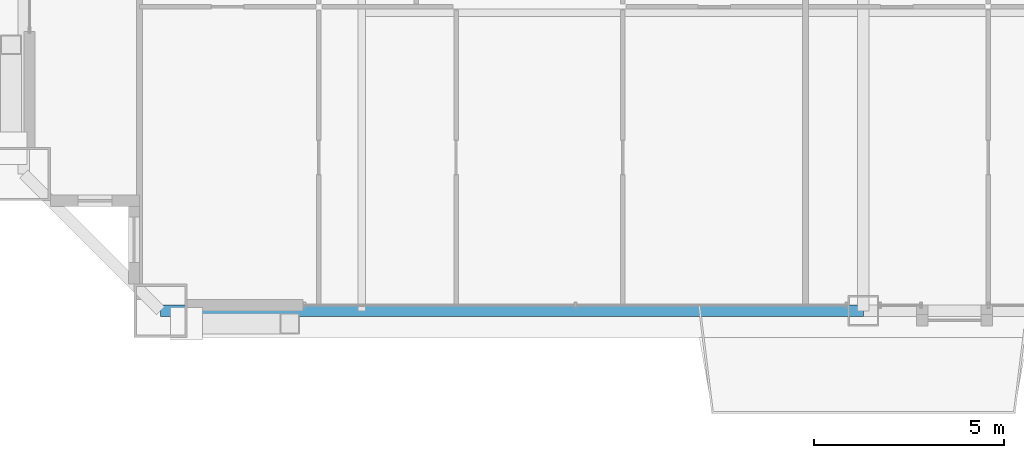
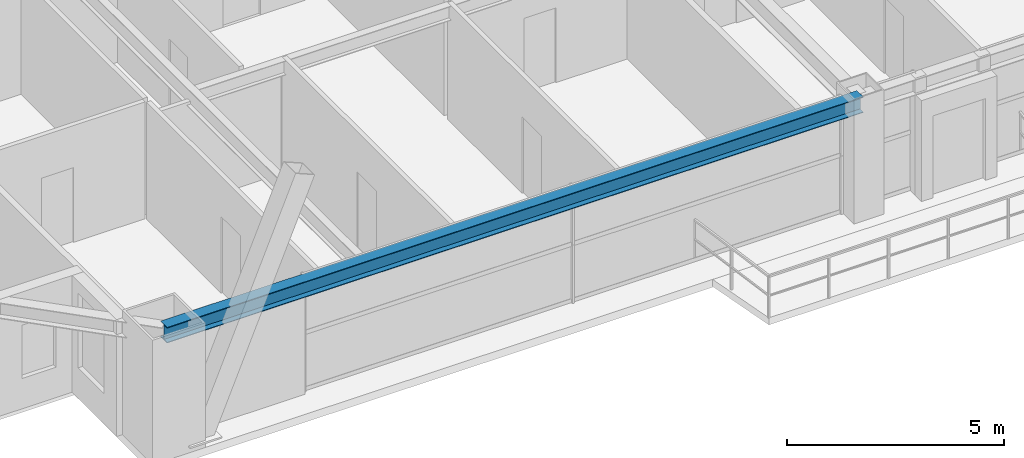
# One storey, part 5 of 45: 1 beam.
"""IFC4 building model written with IfcOpenShell, lengths in metres."""

import ifcopenshell
import ifcopenshell.guid

model = None  # the IFC model being written
_history = None  # IfcOwnerHistory: only IFC2X3 demands one
_inside = {}  # id of a spatial element -> (the spatial element, [elements in it])
_under = {}  # id of a project, library or spatial element -> (it, [spatial elements below it])
_declared = {}  # id of a project -> (the project, [libraries it declares])
_typed = {}  # id of a type object -> (the type object, [elements of that type])
_made_of = {}  # id of a material, layer set ... -> (it, [elements and type objects made of it])


def new_model(schema):
    """Start an empty IFC model of exactly this schema.

    Asked for "IFC4X3", IfcOpenShell would pick the latest addendum, in which some entities
    have other attributes; the version numbers below select the first issue.
    IFC2X3 requires an IfcOwnerHistory on every rooted entity: one is made here for all.
    """
    global model, _history
    if schema == "IFC4X3":
        model = ifcopenshell.file(schema_version=(4, 3, 0, 0))
    else:
        model = ifcopenshell.file(schema=schema)
    _inside.clear()
    _under.clear()
    _declared.clear()
    _typed.clear()
    _made_of.clear()
    _history = None
    if model.schema == "IFC2X3":
        org = make("IfcOrganization", Name="unknown")
        user = make(
            "IfcPersonAndOrganization",
            ThePerson=make("IfcPerson", FamilyName="unknown"),
            TheOrganization=org,
        )
        app = make(
            "IfcApplication",
            ApplicationDeveloper=org,
            Version="unknown",
            ApplicationFullName="unknown",
            ApplicationIdentifier="unknown",
        )
        _history = make(
            "IfcOwnerHistory",
            OwningUser=user,
            OwningApplication=app,
            ChangeAction="ADDED",
            CreationDate=0,
        )
    return model


def make(cls, **values):
    """One entity of the class cls with the attributes given. An attribute that is None is left unset."""
    return model.create_entity(
        cls, **{name: value for name, value in values.items() if value is not None}
    )


def rooted(cls, **values):
    """An entity with a GlobalId (a new one), such as an element, a storey or a relation."""
    return make(cls, GlobalId=ifcopenshell.guid.new(), OwnerHistory=_history, **values)


def si_unit(unit_type, name, prefix=None):
    """IfcSIUnit, for example si_unit("LENGTHUNIT", "METRE", prefix="MILLI")."""
    return make("IfcSIUnit", UnitType=unit_type, Prefix=prefix, Name=name)


def assignment(units):
    """IfcUnitAssignment: the units of a project."""
    return None if units is None else make("IfcUnitAssignment", Units=units)


def point(xyz):
    """IfcCartesianPoint."""
    return None if xyz is None else make("IfcCartesianPoint", Coordinates=xyz)


def direction(xyz):
    """IfcDirection."""
    return None if xyz is None else make("IfcDirection", DirectionRatios=xyz)


def frame(location, z_axis=None, x_axis=None):
    """IfcAxis2Placement3D, a coordinate frame: its origin and axes. An axis left out is left unset."""
    return make(
        "IfcAxis2Placement3D",
        Location=point(location),
        Axis=direction(z_axis),
        RefDirection=direction(x_axis),
    )


def frame_2d(location, x_axis=None):
    """IfcAxis2Placement2D, a coordinate frame in the plane: its origin and x axis."""
    return make(
        "IfcAxis2Placement2D", Location=point(location), RefDirection=direction(x_axis)
    )


def origin():
    """The frame at (0, 0, 0) with its axes left unset."""
    return frame((0.0, 0.0, 0.0))


def origin_2d():
    """The frame at (0, 0) in the plane with its x axis left unset."""
    return frame_2d((0.0, 0.0))


def place(relative_to, where):
    """IfcLocalPlacement: puts the frame where relative to a parent placement (None: the world)."""
    return make(
        "IfcLocalPlacement", PlacementRelTo=relative_to, RelativePlacement=where
    )


def context(
    kind, dimensions, precision=None, world=None, true_north=None, identifier=None
):
    """IfcGeometricRepresentationContext, for example the 3D "Model" context."""
    return make(
        "IfcGeometricRepresentationContext",
        ContextIdentifier=identifier,
        ContextType=kind,
        CoordinateSpaceDimension=dimensions,
        Precision=precision,
        WorldCoordinateSystem=world,
        TrueNorth=true_north,
    )


def subcontext(parent, identifier, kind, view, scale=None):
    """IfcGeometricRepresentationSubContext, for example "Body" below "Model"."""
    return make(
        "IfcGeometricRepresentationSubContext",
        ContextIdentifier=identifier,
        ContextType=kind,
        ParentContext=parent,
        TargetScale=scale,
        TargetView=view,
    )


def project(units=None, contexts=None):
    """IfcProject with its units and contexts."""
    return rooted(
        "IfcProject",
        Name="project",
        RepresentationContexts=contexts,
        UnitsInContext=assignment(units),
    )


def spatial(cls, under=None, at=None, **own):
    """A site, building, storey or space (cls), placed at a placement, below another one or the project."""
    s = rooted(cls, ObjectPlacement=at, **own)
    if under is not None:
        _under.setdefault(under.id(), (under, []))[1].append(s)
    return s


def profile(cls, at=None, kind="AREA", **sizes):
    """A parametric profile (cls). Its sizes go by their IFC names, for example OverallWidth=200.0."""
    return make(cls, ProfileType=kind, Position=at, **sizes)


def i_section(**sizes):
    """IfcIShapeProfileDef."""
    return profile("IfcIShapeProfileDef", **sizes)


def extrude(swept, where, along, depth):
    """IfcExtrudedAreaSolid: the profile swept, set in the frame where, extruded along a direction by depth."""
    return make(
        "IfcExtrudedAreaSolid",
        SweptArea=swept,
        Position=where,
        ExtrudedDirection=direction(along),
        Depth=depth,
    )


def shape(context_of_items, identifier, shape_type, items):
    """IfcShapeRepresentation: the items that make up one representation, for example the "Body"."""
    return make(
        "IfcShapeRepresentation",
        ContextOfItems=context_of_items,
        RepresentationIdentifier=identifier,
        RepresentationType=shape_type,
        Items=items,
    )


def source(mapping_origin, context_of_items, identifier, shape_type, items):
    """IfcRepresentationMap: a shape defined once, which mapped items show again and again."""
    return make(
        "IfcRepresentationMap",
        MappingOrigin=mapping_origin,
        MappedRepresentation=shape(context_of_items, identifier, shape_type, items),
    )


def transform(
    local_origin,
    x_axis=None,
    y_axis=None,
    z_axis=None,
    scale=None,
    scale2=None,
    scale3=None,
    uniform=True,
):
    """IfcCartesianTransformationOperator3D, or its non-uniform kind. x_axis, y_axis, z_axis: its Axis1, 2, 3."""
    if uniform:
        return make(
            "IfcCartesianTransformationOperator3D",
            Axis1=direction(x_axis),
            Axis2=direction(y_axis),
            LocalOrigin=point(local_origin),
            Scale=scale,
            Axis3=direction(z_axis),
        )
    return make(
        "IfcCartesianTransformationOperator3DnonUniform",
        Axis1=direction(x_axis),
        Axis2=direction(y_axis),
        LocalOrigin=point(local_origin),
        Scale=scale,
        Axis3=direction(z_axis),
        Scale2=scale2,
        Scale3=scale3,
    )


def mapped(mapping_source, mapping_target):
    """IfcMappedItem: shows the shape of a source again, moved by a transform."""
    return make(
        "IfcMappedItem", MappingSource=mapping_source, MappingTarget=mapping_target
    )


def material(Name=None, Category=None):
    """IfcMaterial."""
    return make("IfcMaterial", Name=Name, Category=Category)


def material_profile(
    of_material, cross_section, Name=None, Category=None, Priority=None
):
    """IfcMaterialProfile: a cross section and its material."""
    return make(
        "IfcMaterialProfile",
        Name=Name,
        Material=of_material,
        Profile=cross_section,
        Priority=Priority,
        Category=Category,
    )


def profile_set(profiles, Name=None, composite=None):
    """IfcMaterialProfileSet."""
    return make(
        "IfcMaterialProfileSet",
        Name=Name,
        MaterialProfiles=profiles,
        CompositeProfile=composite,
    )


def made_of(thing, what):
    """Note that an element or type object is made of a material, layer set ...; save() writes the relation."""
    if what is not None:
        _made_of.setdefault(what.id(), (what, []))[1].append(thing)
    return thing


def type_object(cls, material=None, **own):
    """A type object (cls), such as IfcWallType, which elements share."""
    return made_of(rooted(cls, **own), material)


def element(
    cls,
    number,
    at=None,
    inside=None,
    cuts=None,
    type_object=None,
    material=None,
    context=None,
    identifier="Body",
    shape_type=None,
    held_by="IfcProductDefinitionShape",
    body=None,
    shapes=None,
    **own,
):
    """One element of the class cls, such as IfcWall. Its Tag is "e" and its number.

    at: its placement. inside: the storey or other place that contains it. cuts: it is an
    opening in that element (IfcRelVoidsElement). A single representation is given by context,
    identifier, shape_type and body (its items); several are given by shapes. held_by: the class
    of the entity that holds the representations. save() writes the other relations.
    """
    e = rooted(cls, Tag="e%d" % number, ObjectPlacement=at, **own)
    if body is not None:
        shapes = [shape(context, identifier, shape_type, body)]
    if shapes is not None:
        e.Representation = make(held_by, Representations=shapes)
    if inside is not None:
        _inside.setdefault(inside.id(), (inside, []))[1].append(e)
    if cuts is not None:
        rooted(
            "IfcRelVoidsElement", RelatingBuildingElement=cuts, RelatedOpeningElement=e
        )
    if type_object is not None:
        _typed.setdefault(type_object.id(), (type_object, []))[1].append(e)
    return made_of(e, material)


def aggregate(whole, parts):
    """IfcRelAggregates: a whole, such as a stair, and the parts it consists of."""
    return rooted("IfcRelAggregates", RelatingObject=whole, RelatedObjects=parts)


def save(model, path):
    """Write the relations noted so far, then the file.

    IfcRelAggregates (storeys below a building ...), IfcRelContainedInSpatialStructure (elements
    in a storey), IfcRelDefinesByType, IfcRelAssociatesMaterial and IfcRelDeclares: one each for
    every whole, place, type object, material and project.
    """
    for whole, parts in _under.values():
        aggregate(whole, parts)
    for where, things in _inside.values():
        rooted(
            "IfcRelContainedInSpatialStructure",
            RelatedElements=things,
            RelatingStructure=where,
        )
    for kind, things in _typed.values():
        rooted("IfcRelDefinesByType", RelatedObjects=things, RelatingType=kind)
    for what, things in _made_of.values():
        rooted("IfcRelAssociatesMaterial", RelatedObjects=things, RelatingMaterial=what)
    for by, libraries in _declared.values():
        rooted("IfcRelDeclares", RelatingContext=by, RelatedDefinitions=libraries)
    model.write(path)


model = new_model("IFC4")

# Units and contexts
model_context = context("Model", 3, precision=1e-05, world=origin(), true_north=direction((0.0, 1.0)))
body_context = subcontext(model_context, "Body", "Model", "MODEL_VIEW")
ifc_project = project(units=[si_unit("LENGTHUNIT", "METRE"), si_unit("AREAUNIT", "SQUARE_METRE"), si_unit("VOLUMEUNIT", "CUBIC_METRE"), si_unit("PLANEANGLEUNIT", "RADIAN"), si_unit("MASSUNIT", "GRAM", prefix="KILO"), si_unit("THERMODYNAMICTEMPERATUREUNIT", "KELVIN"), si_unit("POWERUNIT", "WATT")], contexts=[model_context])

# Site, building, storey
site_placement = place(None, origin())
site = spatial("IfcSite", under=ifc_project, at=site_placement, CompositionType="ELEMENT")
building_placement = place(site_placement, origin())
building = spatial("IfcBuilding", under=site, at=building_placement, Name="Yuzanri Waterfront Tower", CompositionType="ELEMENT")
storey_placement = place(building_placement, frame((0.0, 0.0, 212.5)))
storey = spatial("IfcBuildingStorey", under=building, at=storey_placement, Name="L56", CompositionType="ELEMENT", Elevation=212.5)

# Beam
ifc_material = material(Name="Steel Q355B", Category="steel")
ifc_material_profile = material_profile(ifc_material, i_section(OverallWidth=0.300048828125, OverallDepth=0.43994140625, WebThickness=0.010986328125, FlangeThickness=0.01806640625, at=origin_2d()), Name="HM 440x300x11x18")
ifc_profile_set = profile_set([ifc_material_profile], Name="Steel Q355B")
beam_type = type_object("IfcBeamType", Name="Perimeter Spandrel Q355B HM 440x300", PredefinedType="SPANDREL", material=ifc_profile_set)
shared_shape = source(origin(), body_context, "Body", "SweptSolid", [
    extrude(i_section(OverallWidth=0.300048828125, OverallDepth=0.43994140625, WebThickness=0.010986328125, FlangeThickness=0.01806640625, at=origin_2d()), origin(), (0.0, 0.0, 1.0), 18.5),
])
beam_placement = place(storey_placement, frame((18.5, 3.699951171875, 3.06005859375), z_axis=(1.0, 0.0, 0.0), x_axis=(0.0, 1.0, 0.0)))
element("IfcBeam", 1, at=beam_placement, inside=storey, type_object=beam_type, Name="L56 Perimeter Spandrel S1-S2", PredefinedType="SPANDREL", context=body_context, shape_type="MappedRepresentation", body=[
    mapped(shared_shape, transform((0.0, 0.0, 0.0), scale=1.0)),
])

save(model, "model.ifc")
